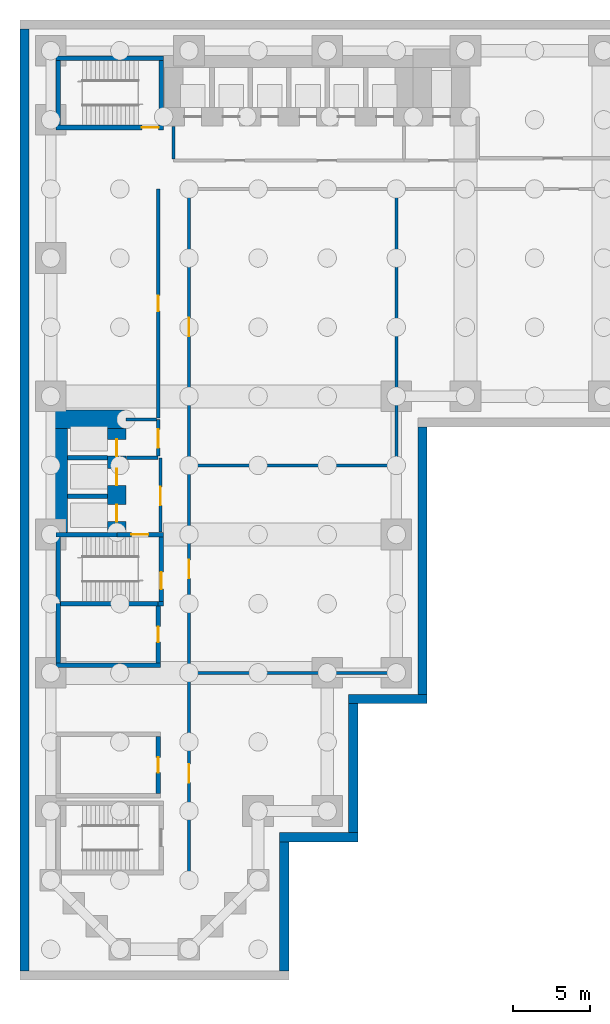
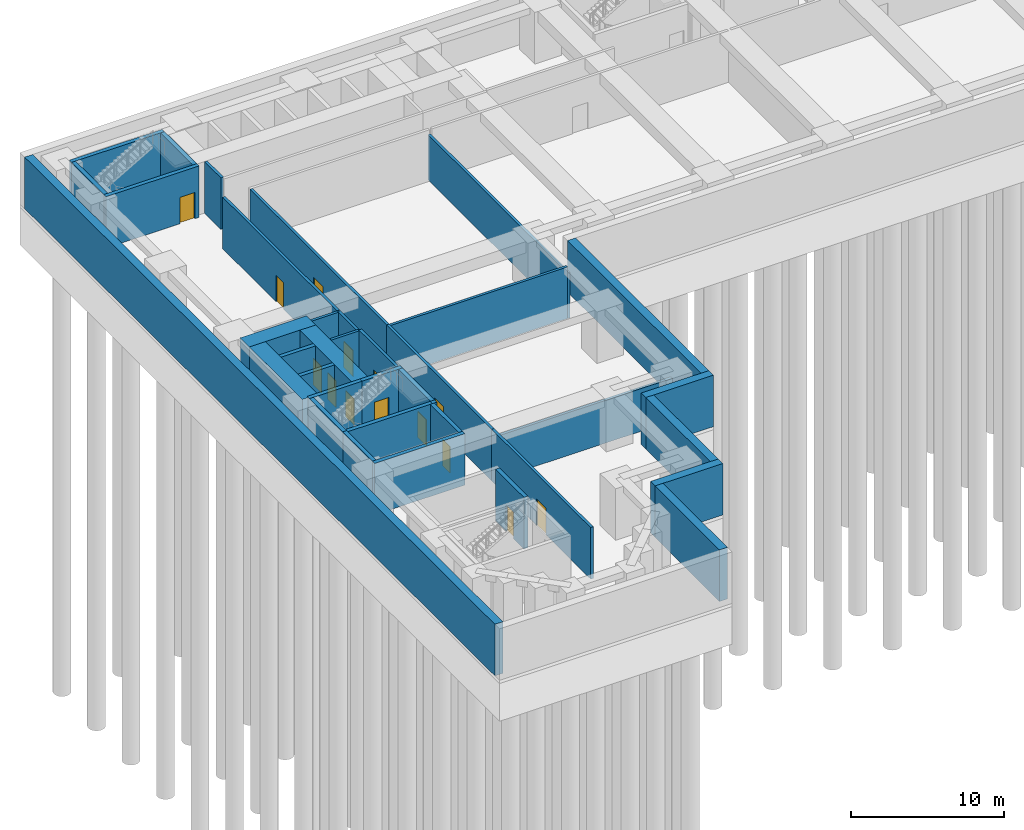
# One storey, part 3 of 7: 37 walls, 14 doors, 14 openings.
"""IFC4 building model written with IfcOpenShell, lengths in metres."""

import ifcopenshell
import ifcopenshell.guid

model = None  # the IFC model being written
_history = None  # IfcOwnerHistory: only IFC2X3 demands one
_inside = {}  # id of a spatial element -> (the spatial element, [elements in it])
_under = {}  # id of a project, library or spatial element -> (it, [spatial elements below it])
_declared = {}  # id of a project -> (the project, [libraries it declares])
_typed = {}  # id of a type object -> (the type object, [elements of that type])
_made_of = {}  # id of a material, layer set ... -> (it, [elements and type objects made of it])


def new_model(schema):
    """Start an empty IFC model of exactly this schema.

    Asked for "IFC4X3", IfcOpenShell would pick the latest addendum, in which some entities
    have other attributes; the version numbers below select the first issue.
    IFC2X3 requires an IfcOwnerHistory on every rooted entity: one is made here for all.
    """
    global model, _history
    if schema == "IFC4X3":
        model = ifcopenshell.file(schema_version=(4, 3, 0, 0))
    else:
        model = ifcopenshell.file(schema=schema)
    _inside.clear()
    _under.clear()
    _declared.clear()
    _typed.clear()
    _made_of.clear()
    _history = None
    if model.schema == "IFC2X3":
        org = make("IfcOrganization", Name="unknown")
        user = make(
            "IfcPersonAndOrganization",
            ThePerson=make("IfcPerson", FamilyName="unknown"),
            TheOrganization=org,
        )
        app = make(
            "IfcApplication",
            ApplicationDeveloper=org,
            Version="unknown",
            ApplicationFullName="unknown",
            ApplicationIdentifier="unknown",
        )
        _history = make(
            "IfcOwnerHistory",
            OwningUser=user,
            OwningApplication=app,
            ChangeAction="ADDED",
            CreationDate=0,
        )
    return model


def make(cls, **values):
    """One entity of the class cls with the attributes given. An attribute that is None is left unset."""
    return model.create_entity(
        cls, **{name: value for name, value in values.items() if value is not None}
    )


def rooted(cls, **values):
    """An entity with a GlobalId (a new one), such as an element, a storey or a relation."""
    return make(cls, GlobalId=ifcopenshell.guid.new(), OwnerHistory=_history, **values)


def si_unit(unit_type, name, prefix=None):
    """IfcSIUnit, for example si_unit("LENGTHUNIT", "METRE", prefix="MILLI")."""
    return make("IfcSIUnit", UnitType=unit_type, Prefix=prefix, Name=name)


def assignment(units):
    """IfcUnitAssignment: the units of a project."""
    return None if units is None else make("IfcUnitAssignment", Units=units)


def point(xyz):
    """IfcCartesianPoint."""
    return None if xyz is None else make("IfcCartesianPoint", Coordinates=xyz)


def direction(xyz):
    """IfcDirection."""
    return None if xyz is None else make("IfcDirection", DirectionRatios=xyz)


def frame(location, z_axis=None, x_axis=None):
    """IfcAxis2Placement3D, a coordinate frame: its origin and axes. An axis left out is left unset."""
    return make(
        "IfcAxis2Placement3D",
        Location=point(location),
        Axis=direction(z_axis),
        RefDirection=direction(x_axis),
    )


def frame_2d(location, x_axis=None):
    """IfcAxis2Placement2D, a coordinate frame in the plane: its origin and x axis."""
    return make(
        "IfcAxis2Placement2D", Location=point(location), RefDirection=direction(x_axis)
    )


def origin():
    """The frame at (0, 0, 0) with its axes left unset."""
    return frame((0.0, 0.0, 0.0))


def place(relative_to, where):
    """IfcLocalPlacement: puts the frame where relative to a parent placement (None: the world)."""
    return make(
        "IfcLocalPlacement", PlacementRelTo=relative_to, RelativePlacement=where
    )


def context(
    kind, dimensions, precision=None, world=None, true_north=None, identifier=None
):
    """IfcGeometricRepresentationContext, for example the 3D "Model" context."""
    return make(
        "IfcGeometricRepresentationContext",
        ContextIdentifier=identifier,
        ContextType=kind,
        CoordinateSpaceDimension=dimensions,
        Precision=precision,
        WorldCoordinateSystem=world,
        TrueNorth=true_north,
    )


def subcontext(parent, identifier, kind, view, scale=None):
    """IfcGeometricRepresentationSubContext, for example "Body" below "Model"."""
    return make(
        "IfcGeometricRepresentationSubContext",
        ContextIdentifier=identifier,
        ContextType=kind,
        ParentContext=parent,
        TargetScale=scale,
        TargetView=view,
    )


def project(units=None, contexts=None):
    """IfcProject with its units and contexts."""
    return rooted(
        "IfcProject",
        Name="project",
        RepresentationContexts=contexts,
        UnitsInContext=assignment(units),
    )


def spatial(cls, under=None, at=None, **own):
    """A site, building, storey or space (cls), placed at a placement, below another one or the project."""
    s = rooted(cls, ObjectPlacement=at, **own)
    if under is not None:
        _under.setdefault(under.id(), (under, []))[1].append(s)
    return s


def profile(cls, at=None, kind="AREA", **sizes):
    """A parametric profile (cls). Its sizes go by their IFC names, for example OverallWidth=200.0."""
    return make(cls, ProfileType=kind, Position=at, **sizes)


def rectangle(**sizes):
    """IfcRectangleProfileDef."""
    return profile("IfcRectangleProfileDef", **sizes)


def extrude(swept, where, along, depth):
    """IfcExtrudedAreaSolid: the profile swept, set in the frame where, extruded along a direction by depth."""
    return make(
        "IfcExtrudedAreaSolid",
        SweptArea=swept,
        Position=where,
        ExtrudedDirection=direction(along),
        Depth=depth,
    )


def shape(context_of_items, identifier, shape_type, items):
    """IfcShapeRepresentation: the items that make up one representation, for example the "Body"."""
    return make(
        "IfcShapeRepresentation",
        ContextOfItems=context_of_items,
        RepresentationIdentifier=identifier,
        RepresentationType=shape_type,
        Items=items,
    )


def material(Name=None, Category=None):
    """IfcMaterial."""
    return make("IfcMaterial", Name=Name, Category=Category)


def layer(
    of_material, thickness, ventilated=None, Name=None, Category=None, Priority=None
):
    """IfcMaterialLayer: one layer of a wall or slab, of a material (None: an air gap)."""
    return make(
        "IfcMaterialLayer",
        Material=of_material,
        LayerThickness=thickness,
        IsVentilated=ventilated,
        Name=Name,
        Category=Category,
        Priority=Priority,
    )


def layer_set(layers, Name=None):
    """IfcMaterialLayerSet."""
    return make("IfcMaterialLayerSet", MaterialLayers=layers, LayerSetName=Name)


def made_of(thing, what):
    """Note that an element or type object is made of a material, layer set ...; save() writes the relation."""
    if what is not None:
        _made_of.setdefault(what.id(), (what, []))[1].append(thing)
    return thing


def type_object(cls, material=None, **own):
    """A type object (cls), such as IfcWallType, which elements share."""
    return made_of(rooted(cls, **own), material)


def element(
    cls,
    number,
    at=None,
    inside=None,
    cuts=None,
    type_object=None,
    material=None,
    context=None,
    identifier="Body",
    shape_type=None,
    held_by="IfcProductDefinitionShape",
    body=None,
    shapes=None,
    **own,
):
    """One element of the class cls, such as IfcWall. Its Tag is "e" and its number.

    at: its placement. inside: the storey or other place that contains it. cuts: it is an
    opening in that element (IfcRelVoidsElement). A single representation is given by context,
    identifier, shape_type and body (its items); several are given by shapes. held_by: the class
    of the entity that holds the representations. save() writes the other relations.
    """
    e = rooted(cls, Tag="e%d" % number, ObjectPlacement=at, **own)
    if body is not None:
        shapes = [shape(context, identifier, shape_type, body)]
    if shapes is not None:
        e.Representation = make(held_by, Representations=shapes)
    if inside is not None:
        _inside.setdefault(inside.id(), (inside, []))[1].append(e)
    if cuts is not None:
        rooted(
            "IfcRelVoidsElement", RelatingBuildingElement=cuts, RelatedOpeningElement=e
        )
    if type_object is not None:
        _typed.setdefault(type_object.id(), (type_object, []))[1].append(e)
    return made_of(e, material)


def fill(opening, filler):
    """IfcRelFillsElement: the door or window that sits in an opening."""
    return rooted(
        "IfcRelFillsElement",
        RelatingOpeningElement=opening,
        RelatedBuildingElement=filler,
    )


def aggregate(whole, parts):
    """IfcRelAggregates: a whole, such as a stair, and the parts it consists of."""
    return rooted("IfcRelAggregates", RelatingObject=whole, RelatedObjects=parts)


def save(model, path):
    """Write the relations noted so far, then the file.

    IfcRelAggregates (storeys below a building ...), IfcRelContainedInSpatialStructure (elements
    in a storey), IfcRelDefinesByType, IfcRelAssociatesMaterial and IfcRelDeclares: one each for
    every whole, place, type object, material and project.
    """
    for whole, parts in _under.values():
        aggregate(whole, parts)
    for where, things in _inside.values():
        rooted(
            "IfcRelContainedInSpatialStructure",
            RelatedElements=things,
            RelatingStructure=where,
        )
    for kind, things in _typed.values():
        rooted("IfcRelDefinesByType", RelatedObjects=things, RelatingType=kind)
    for what, things in _made_of.values():
        rooted("IfcRelAssociatesMaterial", RelatedObjects=things, RelatingMaterial=what)
    for by, libraries in _declared.values():
        rooted("IfcRelDeclares", RelatingContext=by, RelatedDefinitions=libraries)
    model.write(path)


model = new_model("IFC4")

# Units and contexts
model_context = context("Model", 3, precision=1e-05, world=origin(), true_north=direction((0.0, 1.0)))
body_context = subcontext(model_context, "Body", "Model", "MODEL_VIEW")
ifc_project = project(units=[si_unit("LENGTHUNIT", "METRE"), si_unit("AREAUNIT", "SQUARE_METRE"), si_unit("VOLUMEUNIT", "CUBIC_METRE"), si_unit("PLANEANGLEUNIT", "RADIAN"), si_unit("MASSUNIT", "GRAM", prefix="KILO")], contexts=[model_context])

# Site, building, storey
site_placement = place(None, origin())
site = spatial("IfcSite", under=ifc_project, at=site_placement, CompositionType="ELEMENT")
building_placement = place(site_placement, origin())
building = spatial("IfcBuilding", under=site, at=building_placement, Name="Firuza Court", CompositionType="ELEMENT")
storey_placement = place(building_placement, frame((0.0, 0.0, -9.0)))
storey = spatial("IfcBuildingStorey", under=building, at=storey_placement, Name="B2", CompositionType="ELEMENT", Elevation=-9.0)

# Walls
ifc_material_1 = material(Name="Concrete C35/45", Category="concrete")
ifc_layer_1 = layer(ifc_material_1, 1.199951171875)
ifc_layer_set_1 = layer_set([ifc_layer_1], Name="Concrete C35/45")
wall_type_1 = type_object("IfcWallType", Name="Basement core wall 1200", PredefinedType="SHEAR", material=ifc_layer_set_1)
wall_1_placement = place(storey_placement, frame((-0.10009765625, 34.5, 0.0), z_axis=(0.0, 0.0, 1.0), x_axis=(1.0, 0.0, 0.0)))
element("IfcWall", 1, at=wall_1_placement, inside=storey, type_object=wall_type_1, Name="Core wall B2 012", PredefinedType="SHEAR", context=body_context, shape_type="SweptSolid", body=[
    extrude(rectangle(XDim=5.0, YDim=1.199951171875, at=frame_2d((2.5, 0.0))), origin(), (0.0, 0.0, 1.0), 4.10009765625),
])
wall_2_placement = place(storey_placement, frame((0.5, 27.0, 0.0), z_axis=(0.0, 0.0, 1.0), x_axis=(0.0, 1.0, 0.0)))
element("IfcWall", 2, at=wall_2_placement, inside=storey, type_object=wall_type_1, Name="Core wall B2 031", PredefinedType="SHEAR", context=body_context, shape_type="SweptSolid", body=[
    extrude(rectangle(XDim=6.89990234375, YDim=1.199951171875, at=frame_2d((3.449951171875, 0.0))), origin(), (0.0, 0.0, 1.0), 4.10009765625),
])

# Wall, openings, doors
wall_3_placement = place(storey_placement, frame((4.300048828125, 27.14990234375, 0.0), z_axis=(0.0, 0.0, 1.0), x_axis=(0.0, 1.0, 0.0)))
wall_3 = element("IfcWall", 3, at=wall_3_placement, inside=storey, type_object=wall_type_1, Name="Core wall B2 033", PredefinedType="SHEAR", context=body_context, shape_type="SweptSolid", body=[
    extrude(rectangle(XDim=6.75, YDim=1.199951171875, at=frame_2d((3.375, 0.0))), origin(), (0.0, 0.0, 1.0), 4.10009765625),
])
opening_1_placement = place(wall_3_placement, frame((3.050048828125, 0.0, 0.0)))
opening_1 = element("IfcOpeningElement", 4, at=opening_1_placement, cuts=wall_3, Name="Opening LD-FL1-B2", PredefinedType="OPENING", context=body_context, shape_type="SweptSolid", body=[
    extrude(rectangle(XDim=1.10009765625, YDim=2.10009765625, at=frame_2d((0.550048828125, 1.050048828125))), frame((0.0, 0.61181640625, 0.0), z_axis=(0.0, -1.0, 0.0), x_axis=(1.0, 0.0, 0.0)), (0.0, 0.0, 1.0), 1.223876953125),
])
opening_2_placement = place(wall_3_placement, frame((0.699951171875, 0.0, 0.0)))
opening_2 = element("IfcOpeningElement", 5, at=opening_2_placement, cuts=wall_3, Name="Opening LD-FL2-B2", PredefinedType="OPENING", context=body_context, shape_type="SweptSolid", body=[
    extrude(rectangle(XDim=1.10009765625, YDim=2.10009765625, at=frame_2d((0.550048828125, 1.050048828125))), frame((0.0, 0.61181640625, 0.0), z_axis=(0.0, -1.0, 0.0), x_axis=(1.0, 0.0, 0.0)), (0.0, 0.0, 1.0), 1.223876953125),
])
opening_3_placement = place(wall_3_placement, frame((4.949951171875, 0.0, 0.0)))
opening_3 = element("IfcOpeningElement", 6, at=opening_3_placement, cuts=wall_3, Name="Opening LD-SL1-B2", PredefinedType="OPENING", context=body_context, shape_type="SweptSolid", body=[
    extrude(rectangle(XDim=1.10009765625, YDim=2.10009765625, at=frame_2d((0.550048828125, 1.050048828125))), frame((0.0, 0.61181640625, 0.0), z_axis=(0.0, -1.0, 0.0), x_axis=(1.0, 0.0, 0.0)), (0.0, 0.0, 1.0), 1.223876953125),
])
ifc_material_2 = material(Name="Stainless steel 1.4301 door leaf", Category="steel")
door_type_1 = type_object("IfcDoorType", Name="Lift landing door 1100", OperationType="SLIDING_TO_LEFT", PredefinedType="DOOR", material=ifc_material_2)
door_1_placement = place(opening_1_placement, origin())
door_1 = element("IfcDoor", 7, at=door_1_placement, inside=storey, type_object=door_type_1, Name="Landing door FL1", OperationType="SLIDING_TO_LEFT", OverallHeight=2.10009765625, OverallWidth=1.10009765625, PredefinedType="DOOR", context=body_context, shape_type="SweptSolid", body=[
    extrude(rectangle(XDim=1.10009765625, YDim=2.10009765625, at=frame_2d((0.550048828125, 1.050048828125))), frame((0.0, 0.02490234375, 0.0), z_axis=(0.0, -1.0, 0.0), x_axis=(1.0, 0.0, 0.0)), (0.0, 0.0, 1.0), 0.050048828125),
])
fill(opening_1, door_1)
door_2_placement = place(opening_2_placement, origin())
door_2 = element("IfcDoor", 8, at=door_2_placement, inside=storey, type_object=door_type_1, Name="Landing door FL2", OperationType="SLIDING_TO_LEFT", OverallHeight=2.10009765625, OverallWidth=1.10009765625, PredefinedType="DOOR", context=body_context, shape_type="SweptSolid", body=[
    extrude(rectangle(XDim=1.10009765625, YDim=2.10009765625, at=frame_2d((0.550048828125, 1.050048828125))), frame((0.0, 0.02490234375, 0.0), z_axis=(0.0, -1.0, 0.0), x_axis=(1.0, 0.0, 0.0)), (0.0, 0.0, 1.0), 0.050048828125),
])
fill(opening_2, door_2)
door_3_placement = place(opening_3_placement, origin())
door_3 = element("IfcDoor", 9, at=door_3_placement, inside=storey, type_object=door_type_1, Name="Landing door SL1", OperationType="SLIDING_TO_LEFT", OverallHeight=2.10009765625, OverallWidth=1.10009765625, PredefinedType="DOOR", context=body_context, shape_type="SweptSolid", body=[
    extrude(rectangle(XDim=1.10009765625, YDim=2.10009765625, at=frame_2d((0.550048828125, 1.050048828125))), frame((0.0, 0.02490234375, 0.0), z_axis=(0.0, -1.0, 0.0), x_axis=(1.0, 0.0, 0.0)), (0.0, 0.0, 1.0), 0.050048828125),
])
fill(opening_3, door_3)

# Walls
ifc_layer_2 = layer(ifc_material_1, 0.300048828125)
ifc_layer_set_2 = layer_set([ifc_layer_2], Name="Concrete C35/45")
wall_type_2 = type_object("IfcWallType", Name="Basement core wall 300", PredefinedType="SHEAR", material=ifc_layer_set_2)
wall_4_placement = place(storey_placement, frame((0.35009765625, 18.5, 0.0), z_axis=(0.0, 0.0, 1.0), x_axis=(1.0, 0.0, 0.0)))
element("IfcWall", 10, at=wall_4_placement, inside=storey, type_object=wall_type_2, Name="Core wall B2 005", PredefinedType="SHEAR", context=body_context, shape_type="SweptSolid", body=[
    extrude(rectangle(XDim=6.7998046875, YDim=0.300048828125, at=frame_2d((3.39990234375, 0.0))), origin(), (0.0, 0.0, 1.0), 4.10009765625),
])
wall_5_placement = place(storey_placement, frame((0.35009765625, 22.5, 0.0), z_axis=(0.0, 0.0, 1.0), x_axis=(1.0, 0.0, 0.0)))
element("IfcWall", 11, at=wall_5_placement, inside=storey, type_object=wall_type_2, Name="Core wall B2 006", PredefinedType="SHEAR", context=body_context, shape_type="SweptSolid", body=[
    extrude(rectangle(XDim=6.64990234375, YDim=0.300048828125, at=frame_2d((3.324951171875, 0.0))), origin(), (0.0, 0.0, 1.0), 4.10009765625),
])
wall_6_placement = place(storey_placement, frame((7.0, 22.5, 0.0), z_axis=(0.0, 0.0, 1.0), x_axis=(1.0, 0.0, 0.0)))
element("IfcWall", 12, at=wall_6_placement, inside=storey, type_object=wall_type_2, Name="Core wall B2 007", PredefinedType="SHEAR", context=body_context, shape_type="SweptSolid", body=[
    extrude(rectangle(XDim=0.35009765625, YDim=0.300048828125, at=frame_2d((0.175048828125, 0.0))), origin(), (0.0, 0.0, 1.0), 4.10009765625),
])
wall_7_placement = place(storey_placement, frame((0.35009765625, 27.0, 0.0), z_axis=(0.0, 0.0, 1.0), x_axis=(1.0, 0.0, 0.0)))
element("IfcWall", 13, at=wall_7_placement, inside=storey, type_object=wall_type_2, Name="Core wall B2 008", PredefinedType="SHEAR", context=body_context, shape_type="SweptSolid", body=[
    extrude(rectangle(XDim=3.949951171875, YDim=0.300048828125, at=frame_2d((1.97509765625, 0.0))), origin(), (0.0, 0.0, 1.0), 4.10009765625),
])

# Wall, opening, door
wall_8_placement = place(storey_placement, frame((4.300048828125, 27.0, 0.0), z_axis=(0.0, 0.0, 1.0), x_axis=(1.0, 0.0, 0.0)))
wall_8 = element("IfcWall", 14, at=wall_8_placement, inside=storey, type_object=wall_type_2, Name="Core wall B2 009", PredefinedType="SHEAR", context=body_context, shape_type="SweptSolid", body=[
    extrude(rectangle(XDim=3.050048828125, YDim=0.300048828125, at=frame_2d((1.52490234375, 0.0))), origin(), (0.0, 0.0, 1.0), 4.10009765625),
])
opening_4_placement = place(wall_8_placement, frame((0.949951171875, 0.0, 0.0)))
opening_4 = element("IfcOpeningElement", 15, at=opening_4_placement, cuts=wall_8, Name="Opening DB2011", PredefinedType="OPENING", context=body_context, shape_type="SweptSolid", body=[
    extrude(rectangle(XDim=1.10009765625, YDim=2.10009765625, at=frame_2d((0.550048828125, 1.050048828125))), frame((0.0, 0.162109375, 0.0), z_axis=(0.0, -1.0, 0.0), x_axis=(1.0, 0.0, 0.0)), (0.0, 0.0, 1.0), 0.323974609375),
])
ifc_material_3 = material(Name="Timber door leaf in hardwood frame", Category="wood")
door_type_2 = type_object("IfcDoorType", Name="Stair door 1100", OperationType="SINGLE_SWING_LEFT", PredefinedType="DOOR", material=ifc_material_3)
door_4_placement = place(opening_4_placement, frame((1.10009765625, 0.0, 0.0), z_axis=(0.0, 0.0, 1.0), x_axis=(-1.0, 0.0, 0.0)))
door_4 = element("IfcDoor", 16, at=door_4_placement, inside=storey, type_object=door_type_2, Name="Fire-fighting lobby door", OperationType="SINGLE_SWING_LEFT", OverallHeight=2.10009765625, OverallWidth=1.10009765625, PredefinedType="DOOR", context=body_context, shape_type="SweptSolid", body=[
    extrude(rectangle(XDim=1.10009765625, YDim=2.10009765625, at=frame_2d((0.550048828125, 1.050048828125))), frame((0.0, 0.02490234375, 0.0), z_axis=(0.0, -1.0, 0.0), x_axis=(1.0, 0.0, 0.0)), (0.0, 0.0, 1.0), 0.050048828125),
])
fill(opening_4, door_4)

# Walls
for number, where, z_axis, x_axis, name in (
    (17, (1.10009765625, 29.5, 0.0), (0.0, 0.0, 1.0), (1.0, 0.0, 0.0), "Core wall B2 010"),
    (18, (1.10009765625, 32.0, 0.0), (0.0, 0.0, 1.0), (1.0, 0.0, 0.0), "Core wall B2 011"),
):
    element("IfcWall", number, at=place(storey_placement, frame(where, z_axis=z_axis, x_axis=x_axis)), inside=storey, type_object=wall_type_2, Name=name, PredefinedType="SHEAR", context=body_context, shape_type="SweptSolid", body=[
        extrude(rectangle(XDim=2.599853515625, YDim=0.300048828125, at=frame_2d((1.2998046875, 0.0))), origin(), (0.0, 0.0, 1.0), 4.10009765625),
    ])

# Wall, opening, door
wall_9_placement = place(storey_placement, frame((0.35009765625, 53.5, 0.0), z_axis=(0.0, 0.0, 1.0), x_axis=(1.0, 0.0, 0.0)))
wall_9 = element("IfcWall", 19, at=wall_9_placement, inside=storey, type_object=wall_type_2, Name="Core wall B2 013", PredefinedType="SHEAR", context=body_context, shape_type="SweptSolid", body=[
    extrude(rectangle(XDim=7.0, YDim=0.300048828125, at=frame_2d((3.5, 0.0))), origin(), (0.0, 0.0, 1.0), 4.10009765625),
])
opening_5_placement = place(wall_9_placement, frame((5.580078125, 0.0, 0.0)))
opening_5 = element("IfcOpeningElement", 20, at=opening_5_placement, cuts=wall_9, Name="Opening DB2012", PredefinedType="OPENING", context=body_context, shape_type="SweptSolid", body=[
    extrude(rectangle(XDim=1.10009765625, YDim=2.10009765625, at=frame_2d((0.550048828125, 1.050048828125))), frame((0.0, 0.162109375, 0.0), z_axis=(0.0, -1.0, 0.0), x_axis=(1.0, 0.0, 0.0)), (0.0, 0.0, 1.0), 0.323974609375),
])
door_5_placement = place(opening_5_placement, frame((1.10009765625, 0.0, 0.0), z_axis=(0.0, 0.0, 1.0), x_axis=(-1.0, 0.0, 0.0)))
door_5 = element("IfcDoor", 21, at=door_5_placement, inside=storey, type_object=door_type_2, Name="Stair door S3", OperationType="SINGLE_SWING_RIGHT", OverallHeight=2.10009765625, OverallWidth=1.10009765625, PredefinedType="DOOR", context=body_context, shape_type="SweptSolid", body=[
    extrude(rectangle(XDim=1.10009765625, YDim=2.10009765625, at=frame_2d((0.550048828125, 1.050048828125))), frame((0.0, 0.02490234375, 0.0), z_axis=(0.0, -1.0, 0.0), x_axis=(1.0, 0.0, 0.0)), (0.0, 0.0, 1.0), 0.050048828125),
])
fill(opening_5, door_5)

# Walls
wall_10_placement = place(storey_placement, frame((0.35009765625, 58.0, 0.0), z_axis=(0.0, 0.0, 1.0), x_axis=(1.0, 0.0, 0.0)))
element("IfcWall", 22, at=wall_10_placement, inside=storey, type_object=wall_type_2, Name="Core wall B2 020", PredefinedType="SHEAR", context=body_context, shape_type="SweptSolid", body=[
    extrude(rectangle(XDim=7.0, YDim=0.300048828125, at=frame_2d((3.5, 0.0))), origin(), (0.0, 0.0, 1.0), 4.10009765625),
])
wall_11_placement = place(storey_placement, frame((0.5, 18.64990234375, 0.0), z_axis=(0.0, 0.0, 1.0), x_axis=(0.0, 1.0, 0.0)))
element("IfcWall", 23, at=wall_11_placement, inside=storey, type_object=wall_type_2, Name="Core wall B2 029", PredefinedType="SHEAR", context=body_context, shape_type="SweptSolid", body=[
    extrude(rectangle(XDim=3.85009765625, YDim=0.300048828125, at=frame_2d((1.925048828125, 0.0))), origin(), (0.0, 0.0, 1.0), 4.10009765625),
])
wall_12_placement = place(storey_placement, frame((0.5, 22.5, 0.0), z_axis=(0.0, 0.0, 1.0), x_axis=(0.0, 1.0, 0.0)))
element("IfcWall", 24, at=wall_12_placement, inside=storey, type_object=wall_type_2, Name="Core wall B2 030", PredefinedType="SHEAR", context=body_context, shape_type="SweptSolid", body=[
    extrude(rectangle(XDim=4.5, YDim=0.300048828125, at=frame_2d((2.25, 0.0))), origin(), (0.0, 0.0, 1.0), 4.10009765625),
])
wall_13_placement = place(storey_placement, frame((0.5, 53.64990234375, 0.0), z_axis=(0.0, 0.0, 1.0), x_axis=(0.0, 1.0, 0.0)))
element("IfcWall", 25, at=wall_13_placement, inside=storey, type_object=wall_type_2, Name="Core wall B2 032", PredefinedType="SHEAR", context=body_context, shape_type="SweptSolid", body=[
    extrude(rectangle(XDim=4.2001953125, YDim=0.300048828125, at=frame_2d((2.10009765625, 0.0))), origin(), (0.0, 0.0, 1.0), 4.10009765625),
])

# Wall, opening, door
wall_14_placement = place(storey_placement, frame((7.0, 10.14990234375, 0.0), z_axis=(0.0, 0.0, 1.0), x_axis=(0.0, 1.0, 0.0)))
wall_14 = element("IfcWall", 26, at=wall_14_placement, inside=storey, type_object=wall_type_2, Name="Core wall B2 034", PredefinedType="SHEAR", context=body_context, shape_type="SweptSolid", body=[
    extrude(rectangle(XDim=3.7001953125, YDim=0.300048828125, at=frame_2d((1.85009765625, 0.0))), origin(), (0.0, 0.0, 1.0), 4.10009765625),
])
opening_6_placement = place(wall_14_placement, frame((1.35009765625, 0.0, 0.0)))
opening_6 = element("IfcOpeningElement", 27, at=opening_6_placement, cuts=wall_14, Name="Opening DB2008", PredefinedType="OPENING", context=body_context, shape_type="SweptSolid", body=[
    extrude(rectangle(XDim=1.0, YDim=2.10009765625, at=frame_2d((0.5, 1.050048828125))), frame((0.0, 0.162109375, 0.0), z_axis=(0.0, -1.0, 0.0), x_axis=(1.0, 0.0, 0.0)), (0.0, 0.0, 1.0), 0.323974609375),
])
ifc_material_4 = material(Name="Timber door leaf in hardwood frame", Category="wood")
door_type_3 = type_object("IfcDoorType", Name="Riser door 1000", OperationType="SINGLE_SWING_LEFT", PredefinedType="DOOR", material=ifc_material_4)
door_6_placement = place(opening_6_placement, origin())
door_6 = element("IfcDoor", 28, at=door_6_placement, inside=storey, type_object=door_type_3, Name="Riser door R4", OperationType="SINGLE_SWING_LEFT", OverallHeight=2.10009765625, OverallWidth=1.0, PredefinedType="DOOR", context=body_context, shape_type="SweptSolid", body=[
    extrude(rectangle(XDim=1.0, YDim=2.10009765625, at=frame_2d((0.5, 1.050048828125))), frame((0.0, 0.02490234375, 0.0), z_axis=(0.0, -1.0, 0.0), x_axis=(1.0, 0.0, 0.0)), (0.0, 0.0, 1.0), 0.050048828125),
])
fill(opening_6, door_6)

wall_15_placement = place(storey_placement, frame((7.0, 18.64990234375, 0.0), z_axis=(0.0, 0.0, 1.0), x_axis=(0.0, 1.0, 0.0)))
wall_15 = element("IfcWall", 29, at=wall_15_placement, inside=storey, type_object=wall_type_2, Name="Core wall B2 035", PredefinedType="SHEAR", context=body_context, shape_type="SweptSolid", body=[
    extrude(rectangle(XDim=3.7001953125, YDim=0.300048828125, at=frame_2d((1.85009765625, 0.0))), origin(), (0.0, 0.0, 1.0), 4.10009765625),
])
opening_7_placement = place(wall_15_placement, frame((1.35009765625, 0.0, 0.0)))
opening_7 = element("IfcOpeningElement", 30, at=opening_7_placement, cuts=wall_15, Name="Opening DB2006", PredefinedType="OPENING", context=body_context, shape_type="SweptSolid", body=[
    extrude(rectangle(XDim=1.0, YDim=2.10009765625, at=frame_2d((0.5, 1.050048828125))), frame((0.0, 0.162109375, 0.0), z_axis=(0.0, -1.0, 0.0), x_axis=(1.0, 0.0, 0.0)), (0.0, 0.0, 1.0), 0.323974609375),
])
door_7_placement = place(opening_7_placement, origin())
door_7 = element("IfcDoor", 31, at=door_7_placement, inside=storey, type_object=door_type_3, Name="Riser door R1", OperationType="SINGLE_SWING_LEFT", OverallHeight=2.10009765625, OverallWidth=1.0, PredefinedType="DOOR", context=body_context, shape_type="SweptSolid", body=[
    extrude(rectangle(XDim=1.0, YDim=2.10009765625, at=frame_2d((0.5, 1.050048828125))), frame((0.0, 0.02490234375, 0.0), z_axis=(0.0, -1.0, 0.0), x_axis=(1.0, 0.0, 0.0)), (0.0, 0.0, 1.0), 0.050048828125),
])
fill(opening_7, door_7)

wall_16_placement = place(storey_placement, frame((7.199951171875, 22.64990234375, 0.0), z_axis=(0.0, 0.0, 1.0), x_axis=(0.0, 1.0, 0.0)))
wall_16 = element("IfcWall", 32, at=wall_16_placement, inside=storey, type_object=wall_type_2, Name="Core wall B2 037", PredefinedType="SHEAR", context=body_context, shape_type="SweptSolid", body=[
    extrude(rectangle(XDim=4.2001953125, YDim=0.300048828125, at=frame_2d((2.10009765625, 0.0))), origin(), (0.0, 0.0, 1.0), 4.10009765625),
])
opening_8_placement = place(wall_16_placement, frame((0.800048828125, 0.0, 0.0)))
opening_8 = element("IfcOpeningElement", 33, at=opening_8_placement, cuts=wall_16, Name="Opening DB2010", PredefinedType="OPENING", context=body_context, shape_type="SweptSolid", body=[
    extrude(rectangle(XDim=1.10009765625, YDim=2.10009765625, at=frame_2d((0.550048828125, 1.050048828125))), frame((0.0, 0.162109375, 0.0), z_axis=(0.0, -1.0, 0.0), x_axis=(1.0, 0.0, 0.0)), (0.0, 0.0, 1.0), 0.323974609375),
])
door_8_placement = place(opening_8_placement, origin())
door_8 = element("IfcDoor", 34, at=door_8_placement, inside=storey, type_object=door_type_2, Name="Stair door S2", OperationType="SINGLE_SWING_LEFT", OverallHeight=2.10009765625, OverallWidth=1.10009765625, PredefinedType="DOOR", context=body_context, shape_type="SweptSolid", body=[
    extrude(rectangle(XDim=1.10009765625, YDim=2.10009765625, at=frame_2d((0.550048828125, 1.050048828125))), frame((0.0, 0.02490234375, 0.0), z_axis=(0.0, -1.0, 0.0), x_axis=(1.0, 0.0, 0.0)), (0.0, 0.0, 1.0), 0.050048828125),
])
fill(opening_8, door_8)

# Wall
wall_17_placement = place(storey_placement, frame((7.199951171875, 53.64990234375, 0.0), z_axis=(0.0, 0.0, 1.0), x_axis=(0.0, 1.0, 0.0)))
element("IfcWall", 35, at=wall_17_placement, inside=storey, type_object=wall_type_2, Name="Core wall B2 038", PredefinedType="SHEAR", context=body_context, shape_type="SweptSolid", body=[
    extrude(rectangle(XDim=4.2001953125, YDim=0.300048828125, at=frame_2d((2.10009765625, 0.0))), origin(), (0.0, 0.0, 1.0), 4.10009765625),
])

# Wall, opening, door
ifc_material_5 = material(Name="Blockwork, fire-rated", Category="masonry")
ifc_layer_3 = layer(ifc_material_5, 0.199951171875)
ifc_layer_set_3 = layer_set([ifc_layer_3], Name="Blockwork, fire-rated")
wall_type_3 = type_object("IfcWallType", Name="Plant room wall 200", PredefinedType="PARTITIONING", material=ifc_layer_set_3)
wall_18_placement = place(storey_placement, frame((9.0, 5.0, 0.0), z_axis=(0.0, 0.0, 1.0), x_axis=(0.0, 1.0, 0.0)))
wall_18 = element("IfcWall", 36, at=wall_18_placement, inside=storey, type_object=wall_type_3, Name="Plant room wall 200 B2", PredefinedType="PARTITIONING", context=body_context, shape_type="SweptSolid", body=[
    extrude(rectangle(XDim=12.89990234375, YDim=0.199951171875, at=frame_2d((6.449951171875, 0.0))), origin(), (0.0, 0.0, 1.0), 4.10009765625),
])
opening_9_placement = place(wall_18_placement, frame((5.85009765625, 0.0, 0.0)))
opening_9 = element("IfcOpeningElement", 37, at=opening_9_placement, cuts=wall_18, Name="Opening DB2015", PredefinedType="OPENING", context=body_context, shape_type="SweptSolid", body=[
    extrude(rectangle(XDim=1.199951171875, YDim=2.10009765625, at=frame_2d((0.60009765625, 1.050048828125))), frame((0.0, 0.11181640625, 0.0), z_axis=(0.0, -1.0, 0.0), x_axis=(1.0, 0.0, 0.0)), (0.0, 0.0, 1.0), 0.223876953125),
])
ifc_material_6 = material(Name="Timber door leaf in hardwood frame", Category="wood")
door_type_4 = type_object("IfcDoorType", Name="Plant room door 1200", OperationType="SINGLE_SWING_LEFT", PredefinedType="DOOR", material=ifc_material_6)
door_9_placement = place(opening_9_placement, frame((1.199951171875, 0.0, 0.0), z_axis=(0.0, 0.0, 1.0), x_axis=(-1.0, 0.0, 0.0)))
door_9 = element("IfcDoor", 38, at=door_9_placement, inside=storey, type_object=door_type_4, Name="Plant door", OperationType="SINGLE_SWING_LEFT", OverallHeight=2.10009765625, OverallWidth=1.199951171875, PredefinedType="DOOR", context=body_context, shape_type="SweptSolid", body=[
    extrude(rectangle(XDim=1.199951171875, YDim=2.10009765625, at=frame_2d((0.60009765625, 1.050048828125))), frame((0.0, 0.02490234375, 0.0), z_axis=(0.0, -1.0, 0.0), x_axis=(1.0, 0.0, 0.0)), (0.0, 0.0, 1.0), 0.050048828125),
])
fill(opening_9, door_9)

wall_19_placement = place(storey_placement, frame((9.0, 17.89990234375, 0.0), z_axis=(0.0, 0.0, 1.0), x_axis=(0.0, 1.0, 0.0)))
wall_19 = element("IfcWall", 39, at=wall_19_placement, inside=storey, type_object=wall_type_3, Name="Plant room wall 200 B2", PredefinedType="PARTITIONING", context=body_context, shape_type="SweptSolid", body=[
    extrude(rectangle(XDim=13.7001953125, YDim=0.199951171875, at=frame_2d((6.85009765625, 0.0))), origin(), (0.0, 0.0, 1.0), 4.10009765625),
])
opening_10_placement = place(wall_19_placement, frame((6.25, 0.0, 0.0)))
opening_10 = element("IfcOpeningElement", 40, at=opening_10_placement, cuts=wall_19, Name="Opening DB2016", PredefinedType="OPENING", context=body_context, shape_type="SweptSolid", body=[
    extrude(rectangle(XDim=1.199951171875, YDim=2.10009765625, at=frame_2d((0.60009765625, 1.050048828125))), frame((0.0, 0.11181640625, 0.0), z_axis=(0.0, -1.0, 0.0), x_axis=(1.0, 0.0, 0.0)), (0.0, 0.0, 1.0), 0.223876953125),
])
door_10_placement = place(opening_10_placement, frame((1.199951171875, 0.0, 0.0), z_axis=(0.0, 0.0, 1.0), x_axis=(-1.0, 0.0, 0.0)))
door_10 = element("IfcDoor", 41, at=door_10_placement, inside=storey, type_object=door_type_4, Name="Plant door", OperationType="SINGLE_SWING_RIGHT", OverallHeight=2.10009765625, OverallWidth=1.199951171875, PredefinedType="DOOR", context=body_context, shape_type="SweptSolid", body=[
    extrude(rectangle(XDim=1.199951171875, YDim=2.10009765625, at=frame_2d((0.60009765625, 1.050048828125))), frame((0.0, 0.02490234375, 0.0), z_axis=(0.0, -1.0, 0.0), x_axis=(1.0, 0.0, 0.0)), (0.0, 0.0, 1.0), 0.050048828125),
])
fill(opening_10, door_10)

# Wall
wall_20_placement = place(storey_placement, frame((22.5, 18.0, 0.0), z_axis=(0.0, 0.0, 1.0), x_axis=(-1.0, 0.0, 0.0)))
element("IfcWall", 42, at=wall_20_placement, inside=storey, type_object=wall_type_3, Name="Plant room wall 200 B2", PredefinedType="PARTITIONING", context=body_context, shape_type="SweptSolid", body=[
    extrude(rectangle(XDim=13.39990234375, YDim=0.199951171875, at=frame_2d((6.699951171875, 0.0))), origin(), (0.0, 0.0, 1.0), 3.39990234375),
])

# Wall, opening, door
wall_21_placement = place(storey_placement, frame((9.0, 31.60009765625, 0.0), z_axis=(0.0, 0.0, 1.0), x_axis=(0.0, 1.0, 0.0)))
wall_21 = element("IfcWall", 43, at=wall_21_placement, inside=storey, type_object=wall_type_3, Name="Plant room wall 200 B2", PredefinedType="PARTITIONING", context=body_context, shape_type="SweptSolid", body=[
    extrude(rectangle(XDim=17.7998046875, YDim=0.199951171875, at=frame_2d((8.89990234375, 0.0))), origin(), (0.0, 0.0, 1.0), 4.10009765625),
])
opening_11_placement = place(wall_21_placement, frame((8.300048828125, 0.0, 0.0)))
opening_11 = element("IfcOpeningElement", 44, at=opening_11_placement, cuts=wall_21, Name="Opening DB2017", PredefinedType="OPENING", context=body_context, shape_type="SweptSolid", body=[
    extrude(rectangle(XDim=1.199951171875, YDim=2.10009765625, at=frame_2d((0.60009765625, 1.050048828125))), frame((0.0, 0.11181640625, 0.0), z_axis=(0.0, -1.0, 0.0), x_axis=(1.0, 0.0, 0.0)), (0.0, 0.0, 1.0), 0.223876953125),
])
door_11_placement = place(opening_11_placement, frame((1.199951171875, 0.0, 0.0), z_axis=(0.0, 0.0, 1.0), x_axis=(-1.0, 0.0, 0.0)))
door_11 = element("IfcDoor", 45, at=door_11_placement, inside=storey, type_object=door_type_4, Name="Plant door", OperationType="SINGLE_SWING_RIGHT", OverallHeight=2.10009765625, OverallWidth=1.199951171875, PredefinedType="DOOR", context=body_context, shape_type="SweptSolid", body=[
    extrude(rectangle(XDim=1.199951171875, YDim=2.10009765625, at=frame_2d((0.60009765625, 1.050048828125))), frame((0.0, 0.02490234375, 0.0), z_axis=(0.0, -1.0, 0.0), x_axis=(1.0, 0.0, 0.0)), (0.0, 0.0, 1.0), 0.050048828125),
])
fill(opening_11, door_11)

# Walls
wall_22_placement = place(storey_placement, frame((22.39990234375, 31.5, 0.0), z_axis=(0.0, 0.0, 1.0), x_axis=(-1.0, 0.0, 0.0)))
element("IfcWall", 46, at=wall_22_placement, inside=storey, type_object=wall_type_3, Name="Plant room wall 200 B2", PredefinedType="PARTITIONING", context=body_context, shape_type="SweptSolid", body=[
    extrude(rectangle(XDim=13.2998046875, YDim=0.199951171875, at=frame_2d((6.64990234375, 0.0))), origin(), (0.0, 0.0, 1.0), 4.10009765625),
])
wall_23_placement = place(storey_placement, frame((22.5, 31.39990234375, 0.0), z_axis=(0.0, 0.0, 1.0), x_axis=(0.0, 1.0, 0.0)))
element("IfcWall", 47, at=wall_23_placement, inside=storey, type_object=wall_type_3, Name="Plant room wall 200 B2", PredefinedType="PARTITIONING", context=body_context, shape_type="SweptSolid", body=[
    extrude(rectangle(XDim=18.2001953125, YDim=0.199951171875, at=frame_2d((9.10009765625, 0.0))), origin(), (0.0, 0.0, 1.0), 3.60009765625),
])

# Wall, opening, door
wall_24_placement = place(storey_placement, frame((7.0, 49.5, 0.0), z_axis=(0.0, 0.0, 1.0), x_axis=(0.0, -1.0, 0.0)))
wall_24 = element("IfcWall", 48, at=wall_24_placement, inside=storey, type_object=wall_type_3, Name="Plant room wall 200 B2", PredefinedType="PARTITIONING", context=body_context, shape_type="SweptSolid", body=[
    extrude(rectangle(XDim=14.89990234375, YDim=0.199951171875, at=frame_2d((7.449951171875, 0.0))), origin(), (0.0, 0.0, 1.0), 4.10009765625),
])
opening_12_placement = place(wall_24_placement, frame((6.949951171875, 0.0, 0.0)))
opening_12 = element("IfcOpeningElement", 49, at=opening_12_placement, cuts=wall_24, Name="Opening DB2018", PredefinedType="OPENING", context=body_context, shape_type="SweptSolid", body=[
    extrude(rectangle(XDim=1.0, YDim=2.10009765625, at=frame_2d((0.5, 1.050048828125))), frame((0.0, 0.11181640625, 0.0), z_axis=(0.0, -1.0, 0.0), x_axis=(1.0, 0.0, 0.0)), (0.0, 0.0, 1.0), 0.223876953125),
])
ifc_material_7 = material(Name="Timber door leaf in hardwood frame", Category="wood")
door_type_5 = type_object("IfcDoorType", Name="Store door 1000", OperationType="SINGLE_SWING_LEFT", PredefinedType="DOOR", material=ifc_material_7)
door_12_placement = place(opening_12_placement, frame((1.0, 0.0, 0.0), z_axis=(0.0, 0.0, 1.0), x_axis=(-1.0, 0.0, 0.0)))
door_12 = element("IfcDoor", 50, at=door_12_placement, inside=storey, type_object=door_type_5, Name="Store door", OperationType="SINGLE_SWING_RIGHT", OverallHeight=2.10009765625, OverallWidth=1.0, PredefinedType="DOOR", context=body_context, shape_type="SweptSolid", body=[
    extrude(rectangle(XDim=1.0, YDim=2.10009765625, at=frame_2d((0.5, 1.050048828125))), frame((0.0, 0.02490234375, 0.0), z_axis=(0.0, -1.0, 0.0), x_axis=(1.0, 0.0, 0.0)), (0.0, 0.0, 1.0), 0.050048828125),
])
fill(opening_12, door_12)

# Walls
ifc_layer_4 = layer(ifc_material_1, 0.60009765625)
ifc_layer_set_4 = layer_set([ifc_layer_4], Name="Concrete C35/45")
wall_type_4 = type_object("IfcWallType", Name="Retaining wall 600", PredefinedType="SOLIDWALL", material=ifc_layer_set_4)
wall_25_placement = place(storey_placement, frame((-1.699951171875, -1.39990234375, 0.0), z_axis=(0.0, 0.0, 1.0), x_axis=(0.0, 1.0, 0.0)))
element("IfcWall", 51, at=wall_25_placement, inside=storey, type_object=wall_type_4, Name="Basement retaining wall B2 01", PredefinedType="SOLIDWALL", context=body_context, shape_type="SweptSolid", body=[
    extrude(rectangle(XDim=61.2998046875, YDim=0.60009765625, at=frame_2d((30.64990234375, 0.0))), origin(), (0.0, 0.0, 1.0), 4.10009765625),
])
wall_26_placement = place(storey_placement, frame((24.199951171875, 34.0, 0.0), z_axis=(0.0, 0.0, 1.0), x_axis=(0.0, -1.0, 0.0)))
element("IfcWall", 52, at=wall_26_placement, inside=storey, type_object=wall_type_4, Name="Basement retaining wall B2 05", PredefinedType="SOLIDWALL", context=body_context, shape_type="SweptSolid", body=[
    extrude(rectangle(XDim=17.39990234375, YDim=0.60009765625, at=frame_2d((8.699951171875, 0.0))), origin(), (0.0, 0.0, 1.0), 4.10009765625),
])
wall_27_placement = place(storey_placement, frame((24.5, 16.300048828125, 0.0), z_axis=(0.0, 0.0, 1.0), x_axis=(-1.0, 0.0, 0.0)))
element("IfcWall", 53, at=wall_27_placement, inside=storey, type_object=wall_type_4, Name="Basement retaining wall B2 06", PredefinedType="SOLIDWALL", context=body_context, shape_type="SweptSolid", body=[
    extrude(rectangle(XDim=5.10009765625, YDim=0.60009765625, at=frame_2d((2.550048828125, 0.0))), origin(), (0.0, 0.0, 1.0), 4.10009765625),
])
wall_28_placement = place(storey_placement, frame((19.699951171875, 16.0, 0.0), z_axis=(0.0, 0.0, 1.0), x_axis=(0.0, -1.0, 0.0)))
element("IfcWall", 54, at=wall_28_placement, inside=storey, type_object=wall_type_4, Name="Basement retaining wall B2 07", PredefinedType="SOLIDWALL", context=body_context, shape_type="SweptSolid", body=[
    extrude(rectangle(XDim=8.39990234375, YDim=0.60009765625, at=frame_2d((4.199951171875, 0.0))), origin(), (0.0, 0.0, 1.0), 4.10009765625),
])
wall_29_placement = place(storey_placement, frame((20.0, 7.300048828125, 0.0), z_axis=(0.0, 0.0, 1.0), x_axis=(-1.0, 0.0, 0.0)))
element("IfcWall", 55, at=wall_29_placement, inside=storey, type_object=wall_type_4, Name="Basement retaining wall B2 08", PredefinedType="SOLIDWALL", context=body_context, shape_type="SweptSolid", body=[
    extrude(rectangle(XDim=5.10009765625, YDim=0.60009765625, at=frame_2d((2.550048828125, 0.0))), origin(), (0.0, 0.0, 1.0), 4.10009765625),
])
wall_30_placement = place(storey_placement, frame((15.199951171875, 7.0, 0.0), z_axis=(0.0, 0.0, 1.0), x_axis=(0.0, -1.0, 0.0)))
element("IfcWall", 56, at=wall_30_placement, inside=storey, type_object=wall_type_4, Name="Basement retaining wall B2 09", PredefinedType="SOLIDWALL", context=body_context, shape_type="SweptSolid", body=[
    extrude(rectangle(XDim=8.39990234375, YDim=0.60009765625, at=frame_2d((4.199951171875, 0.0))), origin(), (0.0, 0.0, 1.0), 4.10009765625),
])
ifc_layer_5 = layer(ifc_material_5, 0.199951171875)
ifc_layer_set_5 = layer_set([ifc_layer_5], Name="Blockwork, fire-rated")
wall_type_5 = type_object("IfcWallType", Name="Shaft wall 200", PredefinedType="PARTITIONING", material=ifc_layer_set_5)
wall_31_placement = place(storey_placement, frame((8.0, 51.449951171875, 0.0), z_axis=(0.0, 0.0, 1.0), x_axis=(0.0, 1.0, 0.0)))
element("IfcWall", 57, at=wall_31_placement, inside=storey, type_object=wall_type_5, Name="Shaft wall 200 B2", PredefinedType="PARTITIONING", context=body_context, shape_type="SweptSolid", body=[
    extrude(rectangle(XDim=2.130126953125, YDim=0.199951171875, at=frame_2d((1.06494140625, 0.0))), origin(), (0.0, 0.0, 1.0), 4.10009765625),
])
wall_32_placement = place(storey_placement, frame((4.919921875, 32.0, 0.0), z_axis=(0.0, 0.0, 1.0), x_axis=(1.0, 0.0, 0.0)))
element("IfcWall", 58, at=wall_32_placement, inside=storey, type_object=wall_type_5, Name="Shaft wall 200 B2", PredefinedType="PARTITIONING", context=body_context, shape_type="SweptSolid", body=[
    extrude(rectangle(XDim=2.080078125, YDim=0.199951171875, at=frame_2d((1.0400390625, 0.0))), origin(), (0.0, 0.0, 1.0), 4.10009765625),
])

# Wall, opening, door
wall_33_placement = place(storey_placement, frame((7.0, 32.10009765625, 0.0), z_axis=(0.0, 0.0, 1.0), x_axis=(0.0, 1.0, 0.0)))
wall_33 = element("IfcWall", 59, at=wall_33_placement, inside=storey, type_object=wall_type_5, Name="Shaft wall 200 B2", PredefinedType="PARTITIONING", context=body_context, shape_type="SweptSolid", body=[
    extrude(rectangle(XDim=2.39990234375, YDim=0.199951171875, at=frame_2d((1.199951171875, 0.0))), origin(), (0.0, 0.0, 1.0), 4.10009765625),
])
opening_13_placement = place(wall_33_placement, frame((0.550048828125, 0.0, 0.0)))
opening_13 = element("IfcOpeningElement", 60, at=opening_13_placement, cuts=wall_33, Name="Opening DB2005", PredefinedType="OPENING", context=body_context, shape_type="SweptSolid", body=[
    extrude(rectangle(XDim=1.199951171875, YDim=2.10009765625, at=frame_2d((0.60009765625, 1.050048828125))), frame((0.0, 0.11181640625, 0.0), z_axis=(0.0, -1.0, 0.0), x_axis=(1.0, 0.0, 0.0)), (0.0, 0.0, 1.0), 0.223876953125),
])
ifc_material_8 = material(Name="Timber door leaf in hardwood frame", Category="wood")
door_type_6 = type_object("IfcDoorType", Name="Lobby door 1200", OperationType="SINGLE_SWING_LEFT", PredefinedType="DOOR", material=ifc_material_8)
door_13_placement = place(opening_13_placement, origin())
door_13 = element("IfcDoor", 61, at=door_13_placement, inside=storey, type_object=door_type_6, Name="Lobby door", OperationType="SINGLE_SWING_LEFT", OverallHeight=2.10009765625, OverallWidth=1.199951171875, PredefinedType="DOOR", context=body_context, shape_type="SweptSolid", body=[
    extrude(rectangle(XDim=1.199951171875, YDim=2.10009765625, at=frame_2d((0.60009765625, 1.050048828125))), frame((0.0, 0.02490234375, 0.0), z_axis=(0.0, -1.0, 0.0), x_axis=(1.0, 0.0, 0.0)), (0.0, 0.0, 1.0), 0.050048828125),
])
fill(opening_13, door_13)

# Wall
wall_34_placement = place(storey_placement, frame((4.89990234375, 34.5, 0.0), z_axis=(0.0, 0.0, 1.0), x_axis=(1.0, 0.0, 0.0)))
element("IfcWall", 62, at=wall_34_placement, inside=storey, type_object=wall_type_5, Name="Shaft wall 200 B2", PredefinedType="PARTITIONING", context=body_context, shape_type="SweptSolid", body=[
    extrude(rectangle(XDim=2.0, YDim=0.199951171875, at=frame_2d((1.0, 0.0))), origin(), (0.0, 0.0, 1.0), 4.10009765625),
])

# Wall, opening, door
wall_35_placement = place(storey_placement, frame((7.14990234375, 27.169921875, 0.0), z_axis=(0.0, 0.0, 1.0), x_axis=(0.0, 1.0, 0.0)))
wall_35 = element("IfcWall", 63, at=wall_35_placement, inside=storey, type_object=wall_type_5, Name="Shaft wall 200 B2", PredefinedType="PARTITIONING", context=body_context, shape_type="SweptSolid", body=[
    extrude(rectangle(XDim=4.830078125, YDim=0.199951171875, at=frame_2d((2.4150390625, 0.0))), origin(), (0.0, 0.0, 1.0), 4.10009765625),
])
opening_14_placement = place(wall_35_placement, frame((1.72998046875, 0.0, 0.0)))
opening_14 = element("IfcOpeningElement", 64, at=opening_14_placement, cuts=wall_35, Name="Opening DB2001", PredefinedType="OPENING", context=body_context, shape_type="SweptSolid", body=[
    extrude(rectangle(XDim=1.199951171875, YDim=2.10009765625, at=frame_2d((0.60009765625, 1.050048828125))), frame((0.0, 0.11181640625, 0.0), z_axis=(0.0, -1.0, 0.0), x_axis=(1.0, 0.0, 0.0)), (0.0, 0.0, 1.0), 0.223876953125),
])
door_14_placement = place(opening_14_placement, origin())
door_14 = element("IfcDoor", 65, at=door_14_placement, inside=storey, type_object=door_type_6, Name="Fire-fighting lobby door", OperationType="SINGLE_SWING_LEFT", OverallHeight=2.10009765625, OverallWidth=1.199951171875, PredefinedType="DOOR", context=body_context, shape_type="SweptSolid", body=[
    extrude(rectangle(XDim=1.199951171875, YDim=2.10009765625, at=frame_2d((0.60009765625, 1.050048828125))), frame((0.0, 0.02490234375, 0.0), z_axis=(0.0, -1.0, 0.0), x_axis=(1.0, 0.0, 0.0)), (0.0, 0.0, 1.0), 0.050048828125),
])
fill(opening_14, door_14)

save(model, "model.ifc")
